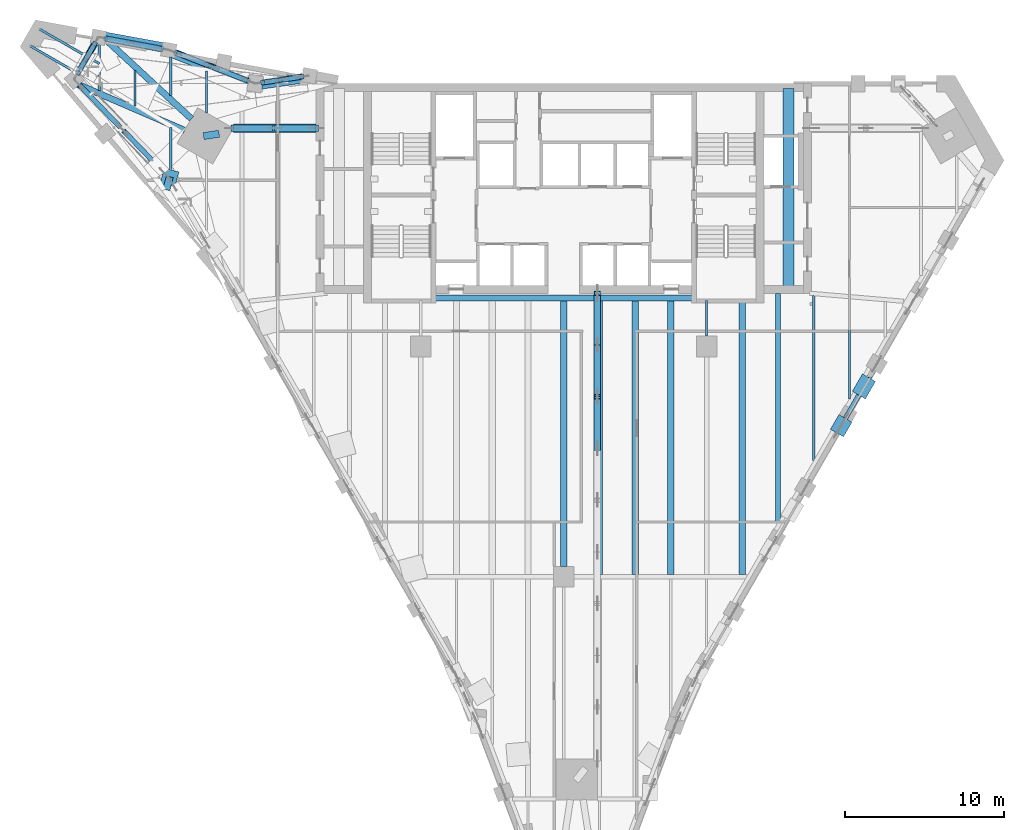
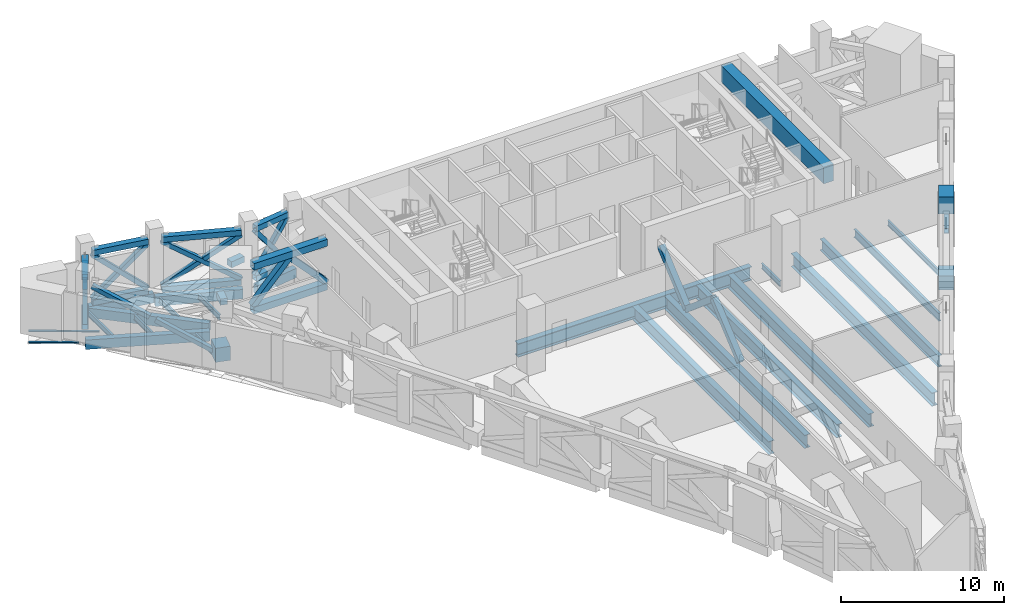
# One storey, part 4 of 22: 32 members, 26 beams, 1 element without a shape of its own.
"""IFC4 building model written with IfcOpenShell, lengths in metres."""

from ifc_helpers import new_model, si_unit, direction, frame, origin, origin_2d, place, context, subcontext, project, spatial, rectangle, hollow_rectangle, i_section, extrude, material, material_profile, profile_set, type_object, element, aggregate, save


model = new_model("IFC4")

# Units and contexts
model_context = context("Model", 3, precision=1e-05, world=origin(), true_north=direction((0.0, 1.0)))
body_context = subcontext(model_context, "Body", "Model", "MODEL_VIEW")
ifc_project = project(units=[si_unit("LENGTHUNIT", "METRE"), si_unit("AREAUNIT", "SQUARE_METRE"), si_unit("VOLUMEUNIT", "CUBIC_METRE"), si_unit("PLANEANGLEUNIT", "RADIAN"), si_unit("MASSUNIT", "GRAM", prefix="KILO")], contexts=[model_context])

# Site, building, storey
site_placement = place(None, origin())
site = spatial("IfcSite", under=ifc_project, at=site_placement, CompositionType="ELEMENT")
building_placement = place(site_placement, origin())
building = spatial("IfcBuilding", under=site, at=building_placement, Name="Calabash Gate Tower", CompositionType="ELEMENT")
storey_placement = place(building_placement, frame((0.0, 0.0, 191.39990234375)))
storey = spatial("IfcBuildingStorey", under=building, at=storey_placement, Name="L45", CompositionType="ELEMENT", Elevation=191.39990234375)

# Members
ifc_material_1 = material(Name="Steel ASTM A500 Gr C", Category="steel")
ifc_material_profile_1 = material_profile(ifc_material_1, hollow_rectangle(XDim=0.406494140625, YDim=0.406494140625, WallThickness=0.015869140625, at=origin_2d()))
ifc_profile_set_1 = profile_set([ifc_material_profile_1], Name="Steel ASTM A500 Gr C")
member_type_1 = type_object("IfcMemberType", Name="Belt truss chord HSS16X16X.625 ASTM A500 Gr C", PredefinedType="CHORD", material=ifc_profile_set_1)
for number, where, z_axis, x_axis, name in (
    (1, (-16.4833984375, 19.482177734375, 0.203369140625), (-0.989523395767, -0.144372605538, 0.0), (0.144372605538, -0.989523395767, 0.0), "Belt chord L45 66"),
    (2, (-16.4833984375, 19.482177734375, 3.927001953125), (-0.989523395767, -0.144372605538, 0.0), (0.144372605538, -0.989523395767, 0.0), "Belt chord L45 67"),
):
    element("IfcMember", number, at=place(storey_placement, frame(where, z_axis=z_axis, x_axis=x_axis)), inside=storey, type_object=member_type_1, Name=name, PredefinedType="CHORD", context=body_context, shape_type="SweptSolid", body=[
        extrude(hollow_rectangle(XDim=0.406494140625, YDim=0.406494140625, WallThickness=0.015869140625, at=origin_2d()), origin(), (0.0, 0.0, 1.0), 2.5009765625),
    ])
for number, where, z_axis, x_axis, name in (
    (3, (-19.855224609375, 19.21875, 0.203369140625), (-0.931822948204, 0.362913203399, 0.0), (-0.362913203399, -0.931822948204, 0.0), "Belt chord L45 71"),
    (4, (-19.855224609375, 19.21875, 3.927001953125), (-0.931822948204, 0.362913203399, 0.0), (-0.362913203399, -0.931822948204, 0.0), "Belt chord L45 72"),
):
    element("IfcMember", number, at=place(storey_placement, frame(where, z_axis=z_axis, x_axis=x_axis)), inside=storey, type_object=member_type_1, Name=name, PredefinedType="CHORD", context=body_context, shape_type="SweptSolid", body=[
        extrude(hollow_rectangle(XDim=0.406494140625, YDim=0.406494140625, WallThickness=0.015869140625, at=origin_2d()), origin(), (0.0, 0.0, 1.0), 4.919677734375),
    ])
for number, where, z_axis, x_axis, name in (
    (5, (-25.30908203125, 21.25146484375, 0.203369140625), (-0.983669647318, 0.17998340186, 0.0), (-0.17998340186, -0.983669647318, 0.0), "Belt chord L45 76"),
    (6, (-25.30908203125, 21.25146484375, 3.927001953125), (-0.983669647318, 0.17998340186, 0.0), (-0.17998340186, -0.983669647318, 0.0), "Belt chord L45 77"),
):
    element("IfcMember", number, at=place(storey_placement, frame(where, z_axis=z_axis, x_axis=x_axis)), inside=storey, type_object=member_type_1, Name=name, PredefinedType="CHORD", context=body_context, shape_type="SweptSolid", body=[
        extrude(hollow_rectangle(XDim=0.406494140625, YDim=0.406494140625, WallThickness=0.015869140625, at=origin_2d()), origin(), (0.0, 0.0, 1.0), 3.60009765625),
    ])
for number, where, z_axis, x_axis, name in (
    (7, (-29.531982421875, 21.566650390625, 0.203369140625), (-0.499965779899, -0.866045159867, 0.0), (0.866045159867, -0.499965779899, 0.0), "Belt chord L45 81"),
    (8, (-29.531982421875, 21.566650390625, 3.927001953125), (-0.499965779899, -0.866045159867, 0.0), (0.866045159867, -0.499965779899, 0.0), "Belt chord L45 82"),
):
    element("IfcMember", number, at=place(storey_placement, frame(where, z_axis=z_axis, x_axis=x_axis)), inside=storey, type_object=member_type_1, Name=name, PredefinedType="CHORD", context=body_context, shape_type="SweptSolid", body=[
        extrude(hollow_rectangle(XDim=0.406494140625, YDim=0.406494140625, WallThickness=0.015869140625, at=origin_2d()), origin(), (0.0, 0.0, 1.0), 2.113525390625),
    ])
ifc_material_2 = material(Name="Steel ASTM A500 Gr C", Category="steel")
ifc_material_profile_2 = material_profile(ifc_material_2, hollow_rectangle(XDim=0.3046875, YDim=0.3046875, WallThickness=0.0126953125, at=origin_2d()))
ifc_profile_set_2 = profile_set([ifc_material_profile_2], Name="Steel ASTM A500 Gr C")
member_type_2 = type_object("IfcMemberType", Name="Belt truss diagonal HSS12X12X.500 ASTM A500 Gr C", PredefinedType="BRACE", material=ifc_profile_set_2)
member_1_placement = place(storey_placement, frame((17.69677734375, -2.10400390625, 3.7236328125), z_axis=(0.462679271023, 0.801441269637, -0.378972008846), x_axis=(-0.866040873467, 0.499973204766, 0.0)))
element("IfcMember", 9, at=member_1_placement, inside=storey, type_object=member_type_2, Name="Belt diagonal (split) L45 54 half 1 of 2", PredefinedType="BRACE", context=body_context, shape_type="SweptSolid", body=[
    extrude(hollow_rectangle(XDim=0.3046875, YDim=0.3046875, WallThickness=0.0126953125, at=origin_2d()), origin(), (0.0, 0.0, 1.0), 4.1591796875),
])
member_2_placement = place(storey_placement, frame((-16.4833984375, 19.482177734375, 0.406494140625), z_axis=(-0.595724659577, -0.08691691541, 0.798472028181), x_axis=(0.144372605538, -0.989523395767, 0.0)))
element("IfcMember", 10, at=member_2_placement, inside=storey, type_object=member_type_2, Name="Belt diagonal L45 68", PredefinedType="BRACE", context=body_context, shape_type="SweptSolid", body=[
    extrude(hollow_rectangle(XDim=0.3046875, YDim=0.3046875, WallThickness=0.0126953125, at=origin_2d()), origin(), (0.0, 0.0, 1.0), 4.154296875),
])
for number, where, z_axis, x_axis, name in (
    (11, (-16.4833984375, 19.482177734375, 3.7236328125), (-0.595753196519, -0.086907183516, -0.798451795847), (0.144350006647, -0.989526692708, 0.0), "Belt diagonal (split) L45 69 half 1 of 2"),
    (12, (-17.815185546875, 19.287841796875, 1.9384765625), (-0.595753196519, -0.086907183516, -0.798451795847), (0.144350006647, -0.989526692708, 0.0), "Belt diagonal (split) L45 70 half 2 of 2"),
):
    element("IfcMember", number, at=place(storey_placement, frame(where, z_axis=z_axis, x_axis=x_axis)), inside=storey, type_object=member_type_2, Name=name, PredefinedType="BRACE", context=body_context, shape_type="SweptSolid", body=[
        extrude(hollow_rectangle(XDim=0.3046875, YDim=0.3046875, WallThickness=0.0126953125, at=origin_2d()), origin(), (0.0, 0.0, 1.0), 1.918701171875),
    ])
member_3_placement = place(storey_placement, frame((-19.855224609375, 19.21875, 0.406494140625), z_axis=(-0.772603359619, 0.300902613245, 0.559054260379), x_axis=(-0.362913203399, -0.931822948204, 0.0)))
element("IfcMember", 13, at=member_3_placement, inside=storey, type_object=member_type_2, Name="Belt diagonal L45 73", PredefinedType="BRACE", context=body_context, shape_type="SweptSolid", body=[
    extrude(hollow_rectangle(XDim=0.3046875, YDim=0.3046875, WallThickness=0.0126953125, at=origin_2d()), origin(), (0.0, 0.0, 1.0), 5.93359375),
])
for number, where, z_axis, x_axis, name in (
    (14, (-19.855224609375, 19.21875, 3.7236328125), (-0.772593968939, 0.300917858448, -0.559059032327), (-0.362932998783, -0.931815238335, 0.0), "Belt diagonal (split) L45 74 half 1 of 2"),
    (15, (-22.2744140625, 20.1611328125, 1.97314453125), (-0.77261422146, 0.300838622768, -0.559073687315), (-0.362841758089, -0.931850770557, 0.0), "Belt diagonal (split) L45 75 half 2 of 2"),
):
    element("IfcMember", number, at=place(storey_placement, frame(where, z_axis=z_axis, x_axis=x_axis)), inside=storey, type_object=member_type_2, Name=name, PredefinedType="BRACE", context=body_context, shape_type="SweptSolid", body=[
        extrude(hollow_rectangle(XDim=0.3046875, YDim=0.3046875, WallThickness=0.0126953125, at=origin_2d()), origin(), (0.0, 0.0, 1.0), 2.80224609375),
    ])
member_4_placement = place(storey_placement, frame((-25.30908203125, 21.25146484375, 0.406494140625), z_axis=(-0.72340287927, 0.132362029754, 0.677619780809), x_axis=(-0.17998340186, -0.983669647318, 0.0)))
element("IfcMember", 16, at=member_4_placement, inside=storey, type_object=member_type_2, Name="Belt diagonal L45 78", PredefinedType="BRACE", context=body_context, shape_type="SweptSolid", body=[
    extrude(hollow_rectangle(XDim=0.3046875, YDim=0.3046875, WallThickness=0.0126953125, at=origin_2d()), origin(), (0.0, 0.0, 1.0), 4.895263671875),
])
member_5_placement = place(storey_placement, frame((-25.30908203125, 21.25146484375, 3.7236328125), z_axis=(-0.723438246089, 0.132346643843, -0.677585027844), x_axis=(-0.179954645036, -0.98367490856, 0.0)))
element("IfcMember", 17, at=member_5_placement, inside=storey, type_object=member_type_2, Name="Belt diagonal (split) L45 79 half 1 of 2", PredefinedType="BRACE", context=body_context, shape_type="SweptSolid", body=[
    extrude(hollow_rectangle(XDim=0.3046875, YDim=0.3046875, WallThickness=0.0126953125, at=origin_2d()), origin(), (0.0, 0.0, 1.0), 2.294921875),
])
member_6_placement = place(storey_placement, frame((-27.1904296875, 21.595703125, 1.96142578125), z_axis=(-0.723387531777, 0.132356830347, -0.677637180451), x_axis=(-0.179980255539, -0.983670223, 0.0)))
element("IfcMember", 18, at=member_6_placement, inside=storey, type_object=member_type_2, Name="Belt diagonal (split) L45 80 half 2 of 2", PredefinedType="BRACE", context=body_context, shape_type="SweptSolid", body=[
    extrude(hollow_rectangle(XDim=0.3046875, YDim=0.3046875, WallThickness=0.0126953125, at=origin_2d()), origin(), (0.0, 0.0, 1.0), 2.294677734375),
])
member_7_placement = place(storey_placement, frame((-29.531982421875, 21.566650390625, 0.406494140625), z_axis=(-0.268647285356, -0.465353211255, 0.843371226), x_axis=(0.866045159867, -0.499965779899, 0.0)))
element("IfcMember", 19, at=member_7_placement, inside=storey, type_object=member_type_2, Name="Belt diagonal L45 83", PredefinedType="BRACE", context=body_context, shape_type="SweptSolid", body=[
    extrude(hollow_rectangle(XDim=0.3046875, YDim=0.3046875, WallThickness=0.0126953125, at=origin_2d()), origin(), (0.0, 0.0, 1.0), 3.93310546875),
])
for number, where, z_axis, x_axis, name in (
    (20, (-29.531982421875, 21.566650390625, 3.7236328125), (-0.268639523646, -0.465334152127, -0.843384214459), (0.866042548026, -0.499970304126, 0.0), "Belt diagonal (split) L45 84 half 1 of 2"),
    (21, (-30.10546875, 20.5732421875, 1.92333984375), (-0.268639523646, -0.465334152127, -0.843384214459), (0.866042548026, -0.499970304126, 0.0), "Belt diagonal (split) L45 85 half 2 of 2"),
):
    element("IfcMember", number, at=place(storey_placement, frame(where, z_axis=z_axis, x_axis=x_axis)), inside=storey, type_object=member_type_2, Name=name, PredefinedType="BRACE", context=body_context, shape_type="SweptSolid", body=[
        extrude(hollow_rectangle(XDim=0.3046875, YDim=0.3046875, WallThickness=0.0126953125, at=origin_2d()), origin(), (0.0, 0.0, 1.0), 1.798583984375),
    ])
member_8_placement = place(storey_placement, frame((-30.514892578125, 18.997802734375, 3.7236328125), z_axis=(0.637760937993, -0.662036842098, -0.393660012797), x_axis=(0.72018759023, 0.693779384876, 0.0)))
element("IfcMember", 22, at=member_8_placement, inside=storey, type_object=member_type_2, Name="Belt diagonal (split) L45 89 half 1 of 2", PredefinedType="BRACE", context=body_context, shape_type="SweptSolid", body=[
    extrude(hollow_rectangle(XDim=0.3046875, YDim=0.3046875, WallThickness=0.0126953125, at=origin_2d()), origin(), (0.0, 0.0, 1.0), 4.002685546875),
])
member_9_placement = place(storey_placement, frame((-27.693603515625, 16.069091796875, 1.982177734375), z_axis=(0.637786691639, -0.66200257884, -0.393675909319), x_axis=(0.720155650611, 0.693812538726, 0.0)))
element("IfcMember", 23, at=member_9_placement, inside=storey, type_object=member_type_2, Name="Belt diagonal (split) L45 90 half 2 of 2", PredefinedType="BRACE", context=body_context, shape_type="SweptSolid", body=[
    extrude(hollow_rectangle(XDim=0.3046875, YDim=0.3046875, WallThickness=0.0126953125, at=origin_2d()), origin(), (0.0, 0.0, 1.0), 4.00244140625),
])

# Beams
ifc_material_3 = material(Name="Concrete C80/95", Category="concrete")
ifc_material_profile_3 = material_profile(ifc_material_3, rectangle(XDim=0.449951171875, YDim=0.449951171875, at=origin_2d()))
ifc_profile_set_3 = profile_set([ifc_material_profile_3], Name="Concrete C80/95")
beam_type_1 = type_object("IfcBeamType", Name="Column offset link RC 450x450 Concrete C80/95", PredefinedType="BEAM", material=ifc_profile_set_3)
beam_1_placement = place(storey_placement, frame((-22.677001953125, 15.75390625, 4.60400390625), z_axis=(0.989510968655, 0.144457754766, 0.0), x_axis=(-0.144457754766, 0.989510968655, 0.0)))
element("IfcBeam", 24, at=beam_1_placement, inside=storey, type_object=beam_type_1, Name="Column offset link L45 NW", PredefinedType="BEAM", context=body_context, shape_type="SweptSolid", body=[
    extrude(rectangle(XDim=0.449951171875, YDim=0.449951171875, at=origin_2d()), origin(), (0.0, 0.0, 1.0), 0.990478515625),
])
beam_2_placement = place(storey_placement, frame((-24.802001953125, 13.19091796875, 4.60400390625), z_axis=(-0.260641799531, -0.965435576482, 0.0), x_axis=(0.965435576482, -0.260641799531, 0.0)))
element("IfcBeam", 25, at=beam_2_placement, inside=storey, type_object=beam_type_1, Name="Column offset link L45 P20", PredefinedType="BEAM", context=body_context, shape_type="SweptSolid", body=[
    extrude(rectangle(XDim=0.449951171875, YDim=0.449951171875, at=origin_2d()), origin(), (0.0, 0.0, 1.0), 0.8515625),
])
ifc_material_4 = material(Name="Concrete C80/95", Category="concrete")
ifc_material_profile_4 = material_profile(ifc_material_4, rectangle(XDim=0.699951171875, YDim=1.25, at=origin_2d()))
ifc_profile_set_4 = profile_set([ifc_material_profile_4], Name="Concrete C80/95")
beam_type_2 = type_object("IfcBeamType", Name="Core wall transfer beam RC 700x1250 Concrete C80/95", PredefinedType="BEAM", material=ifc_profile_set_4)
beam_3_placement = place(storey_placement, frame((14.14990234375, 6.153076171875, 4.20703125), z_axis=(0.0, 1.0, 0.0), x_axis=(-1.0, 0.0, 0.0)))
element("IfcBeam", 26, at=beam_3_placement, inside=storey, type_object=beam_type_2, Name="Core wall transfer beam L45 2", PredefinedType="BEAM", context=body_context, shape_type="SweptSolid", body=[
    extrude(rectangle(XDim=0.699951171875, YDim=1.25, at=origin_2d()), origin(), (0.0, 0.0, 1.0), 12.599853515625),
])
ifc_material_5 = material(Name="Concrete C50/60", Category="concrete")
ifc_material_profile_5 = material_profile(ifc_material_5, rectangle(XDim=0.39990234375, YDim=0.699951171875, at=origin_2d()))
ifc_profile_set_5 = profile_set([ifc_material_profile_5], Name="Concrete C50/60")
beam_type_3 = type_object("IfcBeamType", Name="Edge beam RC 400x700 Concrete C50/60", PredefinedType="BEAM", material=ifc_profile_set_5)
beam_4_placement = place(storey_placement, frame((-15.98291015625, 19.35302734375, -0.52001953125), z_axis=(-0.989535363024, -0.14429055868, 0.0), x_axis=(0.14429055868, -0.989535363024, 0.0)))
element("IfcBeam", 27, at=beam_4_placement, inside=storey, type_object=beam_type_3, Name="Edge beam L45 17", PredefinedType="BEAM", context=body_context, shape_type="SweptSolid", body=[
    extrude(rectangle(XDim=0.39990234375, YDim=0.699951171875, at=origin_2d()), origin(), (0.0, 0.0, 1.0), 3.049072265625),
])
beam_5_placement = place(storey_placement, frame((-19.85791015625, 19.007080078125, -0.52001953125), z_axis=(-0.931952559133, 0.362580235984, 0.0), x_axis=(-0.362580235984, -0.931952559133, 0.0)))
element("IfcBeam", 28, at=beam_5_placement, inside=storey, type_object=beam_type_3, Name="Edge beam L45 18", PredefinedType="BEAM", context=body_context, shape_type="SweptSolid", body=[
    extrude(rectangle(XDim=0.39990234375, YDim=0.699951171875, at=origin_2d()), origin(), (0.0, 0.0, 1.0), 5.4521484375),
])
beam_6_placement = place(storey_placement, frame((-24.830078125, 21.366943359375, -0.52001953125), z_axis=(-0.983667920439, 0.179992839575, 0.0), x_axis=(-0.179992839575, -0.983667920439, 0.0)))
element("IfcBeam", 29, at=beam_6_placement, inside=storey, type_object=beam_type_3, Name="Edge beam L45 19", PredefinedType="BEAM", context=body_context, shape_type="SweptSolid", body=[
    extrude(rectangle(XDim=0.39990234375, YDim=0.699951171875, at=origin_2d()), origin(), (0.0, 0.0, 1.0), 4.50048828125),
])
beam_7_placement = place(storey_placement, frame((-29.156982421875, 22.126953125, -0.52001953125), z_axis=(0.734188567366, -0.678945614574, 0.0), x_axis=(0.678945614574, 0.734188567366, 0.0)))
element("IfcBeam", 30, at=beam_7_placement, inside=storey, type_object=beam_type_3, Name="Edge beam L45 20", PredefinedType="BEAM", context=body_context, shape_type="SweptSolid", body=[
    extrude(rectangle(XDim=0.39990234375, YDim=0.699951171875, at=origin_2d()), origin(), (0.0, 0.0, 1.0), 7.782470703125),
])
beam_8_placement = place(storey_placement, frame((-23.8701171875, 16.10693359375, -0.52001953125), z_axis=(-0.918378593306, 0.395702867511, 0.0), x_axis=(-0.395702867511, -0.918378593306, 0.0)))
element("IfcBeam", 31, at=beam_8_placement, inside=storey, type_object=beam_type_3, Name="Edge beam L45 21", PredefinedType="BEAM", context=body_context, shape_type="SweptSolid", body=[
    extrude(rectangle(XDim=0.39990234375, YDim=0.699951171875, at=origin_2d()), origin(), (0.0, 0.0, 1.0), 7.662353515625),
])
ifc_material_6 = material(Name="Steel ASTM A992 Gr50", Category="steel")
ifc_material_profile_6 = material_profile(ifc_material_6, i_section(OverallWidth=0.1396484375, OverallDepth=0.398681640625, WebThickness=0.00634765625, FlangeThickness=0.0087890625, FilletRadius=0.01025390625, at=origin_2d()))
ifc_profile_set_6 = profile_set([ifc_material_profile_6], Name="Steel ASTM A992 Gr50")
beam_type_4 = type_object("IfcBeamType", Name="Floor beam W16x26 ASTM A992 Gr50", PredefinedType="BEAM", material=ifc_profile_set_6)
beam_9_placement = place(storey_placement, frame((-29.25, 18.62109375, -0.368896484375), z_axis=(0.0, 1.0, 0.0), x_axis=(-1.0, 0.0, 0.0)))
element("IfcBeam", 32, at=beam_9_placement, inside=storey, type_object=beam_type_4, Name="Floor beam L45 1", PredefinedType="BEAM", context=body_context, shape_type="SweptSolid", body=[
    extrude(i_section(OverallWidth=0.1396484375, OverallDepth=0.398681640625, WebThickness=0.00634765625, FlangeThickness=0.0087890625, FilletRadius=0.01025390625, at=origin_2d()), origin(), (0.0, 0.0, 1.0), 3.337890625),
])
beam_10_placement = place(storey_placement, frame((-27.0, 17.65087890625, -0.368896484375), z_axis=(0.0, 1.0, 0.0), x_axis=(-1.0, 0.0, 0.0)))
element("IfcBeam", 33, at=beam_10_placement, inside=storey, type_object=beam_type_4, Name="Floor beam L45 2", PredefinedType="BEAM", context=body_context, shape_type="SweptSolid", body=[
    extrude(i_section(OverallWidth=0.1396484375, OverallDepth=0.398681640625, WebThickness=0.00634765625, FlangeThickness=0.0087890625, FilletRadius=0.01025390625, at=origin_2d()), origin(), (0.0, 0.0, 1.0), 2.22021484375),
])
beam_11_placement = place(storey_placement, frame((-24.75, 13.64697265625, -0.368896484375), z_axis=(0.0, 1.0, 0.0), x_axis=(-1.0, 0.0, 0.0)))
element("IfcBeam", 34, at=beam_11_placement, inside=storey, type_object=beam_type_4, Name="Floor beam L45 3", PredefinedType="BEAM", context=body_context, shape_type="SweptSolid", body=[
    extrude(i_section(OverallWidth=0.1396484375, OverallDepth=0.398681640625, WebThickness=0.00634765625, FlangeThickness=0.0087890625, FilletRadius=0.01025390625, at=origin_2d()), origin(), (0.0, 0.0, 1.0), 2.64306640625),
])
beam_12_placement = place(storey_placement, frame((-24.75, 18.31005859375, -0.368896484375), z_axis=(0.0, 1.0, 0.0), x_axis=(-1.0, 0.0, 0.0)))
element("IfcBeam", 35, at=beam_12_placement, inside=storey, type_object=beam_type_4, Name="Floor beam L45 4", PredefinedType="BEAM", context=body_context, shape_type="SweptSolid", body=[
    extrude(i_section(OverallWidth=0.1396484375, OverallDepth=0.398681640625, WebThickness=0.00634765625, FlangeThickness=0.0087890625, FilletRadius=0.01025390625, at=origin_2d()), origin(), (0.0, 0.0, 1.0), 2.406005859375),
])
beam_13_placement = place(storey_placement, frame((-22.5, 17.19189453125, -0.368896484375), z_axis=(0.0, 1.0, 0.0), x_axis=(-1.0, 0.0, 0.0)))
element("IfcBeam", 36, at=beam_13_placement, inside=storey, type_object=beam_type_4, Name="Floor beam L45 6", PredefinedType="BEAM", context=body_context, shape_type="SweptSolid", body=[
    extrude(i_section(OverallWidth=0.1396484375, OverallDepth=0.398681640625, WebThickness=0.00634765625, FlangeThickness=0.0087890625, FilletRadius=0.01025390625, at=origin_2d()), origin(), (0.0, 0.0, 1.0), 2.66015625),
])
beam_14_placement = place(storey_placement, frame((9.0, 3.14990234375, -0.368896484375), z_axis=(0.0, 1.0, 0.0), x_axis=(-1.0, 0.0, 0.0)))
element("IfcBeam", 37, at=beam_14_placement, inside=storey, type_object=beam_type_4, Name="Floor beam L45 34", PredefinedType="BEAM", context=body_context, shape_type="SweptSolid", body=[
    extrude(i_section(OverallWidth=0.1396484375, OverallDepth=0.398681640625, WebThickness=0.00634765625, FlangeThickness=0.0087890625, FilletRadius=0.01025390625, at=origin_2d()), origin(), (0.0, 0.0, 1.0), 2.253173828125),
])
beam_15_placement = place(storey_placement, frame((18.0, -0.791015625, -0.368896484375), z_axis=(0.0, 1.0, 0.0), x_axis=(-1.0, 0.0, 0.0)))
element("IfcBeam", 38, at=beam_15_placement, inside=storey, type_object=beam_type_4, Name="Floor beam L45 38", PredefinedType="BEAM", context=body_context, shape_type="SweptSolid", body=[
    extrude(i_section(OverallWidth=0.1396484375, OverallDepth=0.398681640625, WebThickness=0.00634765625, FlangeThickness=0.0087890625, FilletRadius=0.01025390625, at=origin_2d()), origin(), (0.0, 0.0, 1.0), 6.319091796875),
])
ifc_material_7 = material(Name="Steel ASTM A992 Gr50", Category="steel")
ifc_material_profile_7 = material_profile(ifc_material_7, i_section(OverallWidth=0.1787109375, OverallDepth=0.60205078125, WebThickness=0.010986328125, FlangeThickness=0.014892578125, FilletRadius=0.0126953125, at=origin_2d()))
ifc_profile_set_7 = profile_set([ifc_material_profile_7], Name="Steel ASTM A992 Gr50")
beam_type_5 = type_object("IfcBeamType", Name="Floor beam W24x62 ASTM A992 Gr50", PredefinedType="BEAM", material=ifc_profile_set_7)
beam_16_placement = place(storey_placement, frame((15.75, -4.68798828125, -0.470947265625), z_axis=(0.0, 1.0, 0.0), x_axis=(-1.0, 0.0, 0.0)))
element("IfcBeam", 39, at=beam_16_placement, inside=storey, type_object=beam_type_5, Name="Floor beam L45 37", PredefinedType="BEAM", context=body_context, shape_type="SweptSolid", body=[
    extrude(i_section(OverallWidth=0.1787109375, OverallDepth=0.60205078125, WebThickness=0.010986328125, FlangeThickness=0.014892578125, FilletRadius=0.0126953125, at=origin_2d()), origin(), (0.0, 0.0, 1.0), 10.407958984375),
])
ifc_material_8 = material(Name="Steel ASTM A992 Gr50", Category="steel")
ifc_material_profile_8 = material_profile(ifc_material_8, i_section(OverallWidth=0.2919921875, OverallDepth=0.845703125, WebThickness=0.015380859375, FlangeThickness=0.0244140625, FilletRadius=0.017822265625, at=origin_2d()))
ifc_profile_set_8 = profile_set([ifc_material_profile_8], Name="Steel ASTM A992 Gr50")
beam_type_6 = type_object("IfcBeamType", Name="Floor beam W33x141 ASTM A992 Gr50", PredefinedType="BEAM", material=ifc_profile_set_8)
beam_17_placement = place(storey_placement, frame((13.5, -8.60302734375, -0.593017578125), z_axis=(0.0, 1.0, 0.0), x_axis=(-1.0, 0.0, 0.0)))
element("IfcBeam", 40, at=beam_17_placement, inside=storey, type_object=beam_type_6, Name="Floor beam L45 36", PredefinedType="BEAM", context=body_context, shape_type="SweptSolid", body=[
    extrude(i_section(OverallWidth=0.2919921875, OverallDepth=0.845703125, WebThickness=0.015380859375, FlangeThickness=0.0244140625, FilletRadius=0.017822265625, at=origin_2d()), origin(), (0.0, 0.0, 1.0), 14.4560546875),
])
ifc_material_9 = material(Name="Steel ASTM A992 Gr50", Category="steel")
ifc_material_profile_9 = material_profile(ifc_material_9, i_section(OverallWidth=0.4013671875, OverallDepth=0.990478515625, WebThickness=0.0166015625, FlangeThickness=0.031005859375, FilletRadius=0.030029296875, at=origin_2d()))
ifc_profile_set_9 = profile_set([ifc_material_profile_9], Name="Steel ASTM A992 Gr50")
beam_type_7 = type_object("IfcBeamType", Name="Floor beam W40x215 ASTM A992 Gr50", PredefinedType="BEAM", material=ifc_profile_set_9)
beam_18_placement = place(storey_placement, frame((0.0, -11.35009765625, -0.662841796875), z_axis=(0.0, 1.0, 0.0), x_axis=(-1.0, 0.0, 0.0)))
element("IfcBeam", 41, at=beam_18_placement, inside=storey, type_object=beam_type_7, Name="Floor beam L45 24", PredefinedType="BEAM", context=body_context, shape_type="SweptSolid", body=[
    extrude(i_section(OverallWidth=0.4013671875, OverallDepth=0.990478515625, WebThickness=0.0166015625, FlangeThickness=0.031005859375, FilletRadius=0.030029296875, at=origin_2d()), origin(), (0.0, 0.0, 1.0), 16.7021484375),
])
for number, where, z_axis, x_axis, name in (
    (42, (2.25, -11.866943359375, -0.662841796875), (0.0, 1.0, 0.0), (-1.0, 0.0, 0.0), "Floor beam L45 27"),
    (43, (4.5, -11.866943359375, -0.662841796875), (0.0, 1.0, 0.0), (-1.0, 0.0, 0.0), "Floor beam L45 29"),
    (44, (6.75, -11.866943359375, -0.662841796875), (0.0, 1.0, 0.0), (-1.0, 0.0, 0.0), "Floor beam L45 31"),
):
    element("IfcBeam", number, at=place(storey_placement, frame(where, z_axis=z_axis, x_axis=x_axis)), inside=storey, type_object=beam_type_7, Name=name, PredefinedType="BEAM", context=body_context, shape_type="SweptSolid", body=[
        extrude(i_section(OverallWidth=0.4013671875, OverallDepth=0.990478515625, WebThickness=0.0166015625, FlangeThickness=0.031005859375, FilletRadius=0.030029296875, at=origin_2d()), origin(), (0.0, 0.0, 1.0), 17.218994140625),
    ])
beam_19_placement = place(storey_placement, frame((11.25, -11.866943359375, -0.662841796875), z_axis=(0.0, 1.0, 0.0), x_axis=(-1.0, 0.0, 0.0)))
element("IfcBeam", 45, at=beam_19_placement, inside=storey, type_object=beam_type_7, Name="Floor beam L45 35", PredefinedType="BEAM", context=body_context, shape_type="SweptSolid", body=[
    extrude(i_section(OverallWidth=0.4013671875, OverallDepth=0.990478515625, WebThickness=0.0166015625, FlangeThickness=0.031005859375, FilletRadius=0.030029296875, at=origin_2d()), origin(), (0.0, 0.0, 1.0), 17.27001953125),
])
ifc_material_10 = material(Name="Steel ASTM A992 Gr50", Category="steel")
ifc_material_profile_10 = material_profile(ifc_material_10, i_section(OverallWidth=0.4013671875, OverallDepth=1.000732421875, WebThickness=0.01904296875, FlangeThickness=0.0361328125, FilletRadius=0.030029296875, at=origin_2d()))
ifc_profile_set_10 = profile_set([ifc_material_profile_10], Name="Steel ASTM A992 Gr50")
beam_type_8 = type_object("IfcBeamType", Name="Girder W40x249 ASTM A992 Gr50", PredefinedType="BEAM", material=ifc_profile_set_10)
beam_20_placement = place(storey_placement, frame((-8.25, 5.552978515625, -0.669921875), z_axis=(1.0, 0.0, 0.0), x_axis=(0.0, 1.0, 0.0)))
element("IfcBeam", 46, at=beam_20_placement, inside=storey, type_object=beam_type_8, Name="Girder L45 1", PredefinedType="BEAM", context=body_context, shape_type="SweptSolid", body=[
    extrude(i_section(OverallWidth=0.4013671875, OverallDepth=1.000732421875, WebThickness=0.01904296875, FlangeThickness=0.0361328125, FilletRadius=0.030029296875, at=origin_2d()), origin(), (0.0, 0.0, 1.0), 16.5),
])

# Members
ifc_material_11 = material(Name="Steel ASTM A500 Gr C", Category="steel")
ifc_material_profile_11 = material_profile(ifc_material_11, hollow_rectangle(XDim=0.508056640625, YDim=0.508056640625, WallThickness=0.01904296875, at=origin_2d()))
ifc_profile_set_11 = profile_set([ifc_material_profile_11], Name="Steel ASTM A500 Gr C")
member_type_3 = type_object("IfcMemberType", Name="Outrigger chord HSS20X20X.750 ASTM A500 Gr C", PredefinedType="CHORD", material=ifc_profile_set_11)
for number, where, z_axis, x_axis, name in (
    (47, (-20.802490234375, 16.24365234375, 0.254150390625), (1.0, 0.0, 0.0), (0.0, 1.0, 0.0), "Outrigger chord L45 NW"),
    (48, (-20.802490234375, 16.24365234375, 3.526123046875), (1.0, 0.0, 0.0), (0.0, 1.0, 0.0), "Outrigger chord L45 NW"),
):
    element("IfcMember", number, at=place(storey_placement, frame(where, z_axis=z_axis, x_axis=x_axis)), inside=storey, type_object=member_type_3, Name=name, PredefinedType="CHORD", context=body_context, shape_type="SweptSolid", body=[
        extrude(hollow_rectangle(XDim=0.508056640625, YDim=0.508056640625, WallThickness=0.01904296875, at=origin_2d()), origin(), (0.0, 0.0, 1.0), 5.202392578125),
    ])
ifc_material_12 = material(Name="Steel ASTM A500 Gr C", Category="steel")
ifc_material_profile_12 = material_profile(ifc_material_12, hollow_rectangle(XDim=0.406494140625, YDim=0.406494140625, WallThickness=0.015869140625, at=origin_2d()))
ifc_profile_set_12 = profile_set([ifc_material_profile_12], Name="Steel ASTM A500 Gr C")
member_type_4 = type_object("IfcMemberType", Name="Outrigger diagonal HSS16X16X.625 ASTM A500 Gr C", PredefinedType="BRACE", material=ifc_profile_set_12)
for number, where, z_axis, x_axis, name in (
    (49, (-20.802490234375, 16.24365234375, 0.508056640625), (0.685330590901, 0.0, 0.728232092931), (0.0, 1.0, 0.0), "Outrigger diagonal L45 NW"),
    (50, (-18.201171875, 16.24365234375, 3.272216796875), (0.685296478287, 0.0, -0.728264194402), (0.0, 1.0, 0.0), "Outrigger diagonal L45 NW"),
):
    element("IfcMember", number, at=place(storey_placement, frame(where, z_axis=z_axis, x_axis=x_axis)), inside=storey, type_object=member_type_4, Name=name, PredefinedType="BRACE", context=body_context, shape_type="SweptSolid", body=[
        extrude(hollow_rectangle(XDim=0.406494140625, YDim=0.406494140625, WallThickness=0.015869140625, at=origin_2d()), origin(), (0.0, 0.0, 1.0), 3.795654296875),
    ])
for number, where, z_axis, x_axis, name in (
    (51, (2.121826171875, -3.919189453125, 0.508056640625), (0.0, 0.762466417764, 0.64702779058), (-1.0, 0.0, 0.0), "Outrigger diagonal L45 S"),
    (52, (2.121826171875, -0.661865234375, 3.272216796875), (0.0, 0.762466417764, -0.64702779058), (-1.0, 0.0, 0.0), "Outrigger diagonal L45 S"),
    (53, (2.121826171875, 2.595458984375, 0.508056640625), (0.0, 0.762442491546, 0.647055984506), (-1.0, 0.0, 0.0), "Outrigger diagonal L45 S"),
):
    element("IfcMember", number, at=place(storey_placement, frame(where, z_axis=z_axis, x_axis=x_axis)), inside=storey, type_object=member_type_4, Name=name, PredefinedType="BRACE", context=body_context, shape_type="SweptSolid", body=[
        extrude(hollow_rectangle(XDim=0.406494140625, YDim=0.406494140625, WallThickness=0.015869140625, at=origin_2d()), origin(), (0.0, 0.0, 1.0), 4.27197265625),
    ])

# Curtain wall, members
ifc_material_13 = material(Name="Anodised aluminium frame, bronze finish, dark tinted laminated glass", Category="aluminium")
curtain_wall_type = type_object("IfcCurtainWallType", Name="Curtain wall CWD soffit glazing", PredefinedType="NOTDEFINED", material=ifc_material_13)
curtain_wall_placement = place(storey_placement, origin())
curtain_wall = element("IfcCurtainWall", 54, at=curtain_wall_placement, inside=storey, type_object=curtain_wall_type, Name="Curtain wall CWD soffit Z4 NW", PredefinedType="NOTDEFINED")
ifc_material_14 = material(Name="Anodised aluminium frame, bronze finish", Category="aluminium")
ifc_material_profile_13 = material_profile(ifc_material_14, rectangle(XDim=0.14990234375, YDim=0.070068359375, at=origin_2d()))
ifc_profile_set_13 = profile_set([ifc_material_profile_13], Name="Anodised aluminium frame, bronze finish")
member_type_5 = type_object("IfcMemberType", Name="Soffit raking mullion 150x70", PredefinedType="MULLION", material=ifc_profile_set_13)
member_10_placement = place(storey_placement, frame((-29.239501953125, 20.31201171875, -0.93310546875), z_axis=(-0.86602506844, 0.499941872062, 0.007661944399), x_axis=(-0.49995654735, -0.86605048973, 0.0)))
member_10 = element("IfcMember", 55, at=member_10_placement, type_object=member_type_5, Name="Soffit raking mullion Z4 NW 1", PredefinedType="MULLION", context=body_context, shape_type="SweptSolid", body=[
    extrude(rectangle(XDim=0.14990234375, YDim=0.070068359375, at=origin_2d()), origin(), (0.0, 0.0, 1.0), 4.33349609375),
])
member_11_placement = place(storey_placement, frame((-30.911865234375, 19.880859375, -0.923583984375), z_axis=(-0.866009542694, 0.499969142295, 0.007637323906), x_axis=(-0.499983724212, -0.866034800411, 0.0)))
member_11 = element("IfcMember", 56, at=member_11_placement, type_object=member_type_5, Name="Soffit raking mullion Z4 NW 2", PredefinedType="MULLION", context=body_context, shape_type="SweptSolid", body=[
    extrude(rectangle(XDim=0.14990234375, YDim=0.070068359375, at=origin_2d()), origin(), (0.0, 0.0, 1.0), 3.100830078125),
])
aggregate(curtain_wall, [member_10, member_11])

# Beams
ifc_material_15 = material(Name="Concrete C60/75", Category="concrete")
ifc_material_profile_14 = material_profile(ifc_material_15, rectangle(XDim=0.949951171875, YDim=1.050048828125, at=origin_2d()))
ifc_profile_set_14 = profile_set([ifc_material_profile_14], Name="Concrete C60/75")
beam_type_9 = type_object("IfcBeamType", Name="Transfer node RC 950x1050 Concrete C60/75", PredefinedType="BEAM", material=ifc_profile_set_14)
for number, where, z_axis, x_axis, name in (
    (57, (17.2099609375, -2.947021484375, 0.527099609375), (0.501728328812, 0.865025250538, 0.0), (-0.865025250538, 0.501728328812, 0.0), "Transfer node L45 foot P11"),
    (58, (-24.68798828125, 13.611083984375, 0.527099609375), (-0.261592538908, -0.965178399876, 0.0), (0.965178399876, -0.261592538908, 0.0), "Transfer node L45 foot P20"),
):
    element("IfcBeam", number, at=place(storey_placement, frame(where, z_axis=z_axis, x_axis=x_axis)), inside=storey, type_object=beam_type_9, Name=name, PredefinedType="BEAM", context=body_context, shape_type="SweptSolid", body=[
        extrude(rectangle(XDim=0.949951171875, YDim=1.050048828125, at=origin_2d()), origin(), (0.0, 0.0, 1.0), 1.070556640625),
    ])
ifc_material_16 = material(Name="Concrete C60/75", Category="concrete")
ifc_material_profile_15 = material_profile(ifc_material_16, rectangle(XDim=0.949951171875, YDim=1.25, at=origin_2d()))
ifc_profile_set_15 = profile_set([ifc_material_profile_15], Name="Concrete C60/75")
beam_type_10 = type_object("IfcBeamType", Name="Transfer node RC 950x1250 Concrete C60/75", PredefinedType="BEAM", material=ifc_profile_set_15)
beam_21_placement = place(storey_placement, frame((18.5859375, -0.56396484375, 4.377197265625), z_axis=(0.500005339912, 0.866022320763, 0.0), x_axis=(-0.866022320763, 0.500005339912, 0.0)))
element("IfcBeam", 59, at=beam_21_placement, inside=storey, type_object=beam_type_10, Name="Transfer node L45 head P11", PredefinedType="BEAM", context=body_context, shape_type="SweptSolid", body=[
    extrude(rectangle(XDim=0.949951171875, YDim=1.25, at=origin_2d()), origin(), (0.0, 0.0, 1.0), 1.27001953125),
])

save(model, "model.ifc")
